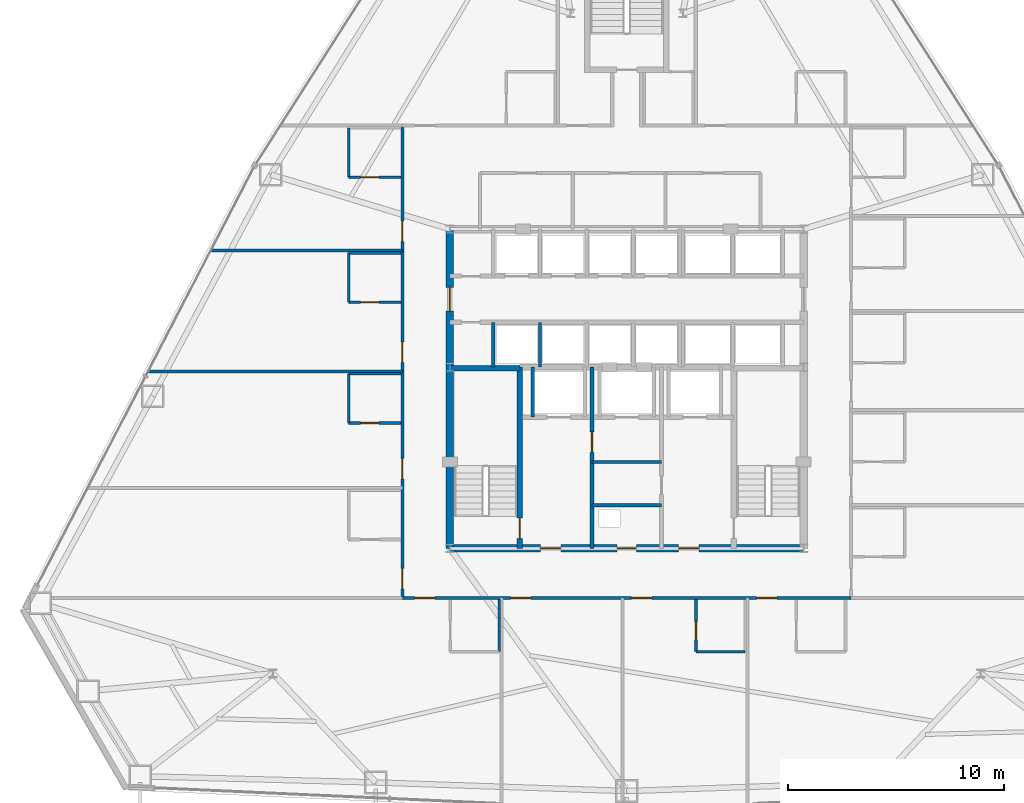
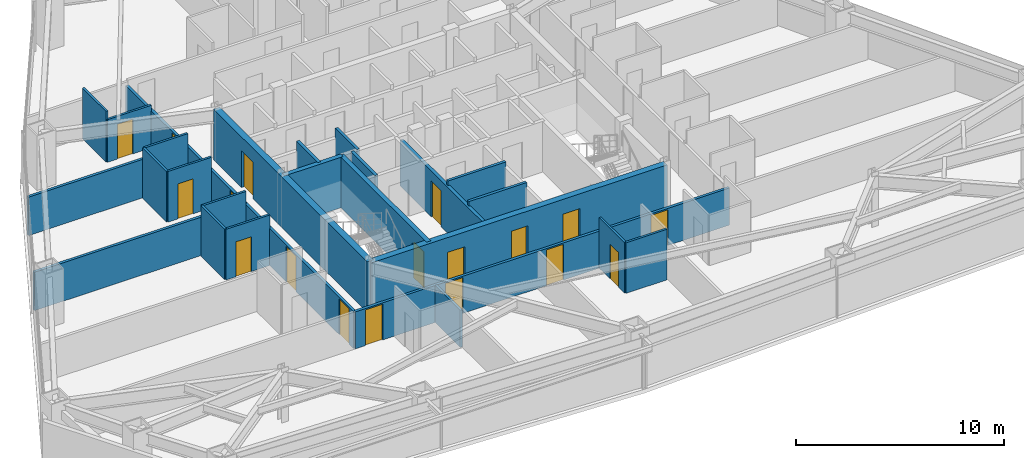
# One storey, part 9 of 13: 25 walls, 18 doors, 18 openings.
"""IFC4 building model written with IfcOpenShell, lengths in metres."""

from ifc_helpers import new_model, si_unit, direction, frame, frame_2d, origin, place, context, subcontext, project, spatial, rectangle, extrude, material, layer, layer_set, type_object, element, fill, save


model = new_model("IFC4")

# Units and contexts
model_context = context("Model", 3, precision=1e-05, world=origin(), true_north=direction((0.0, 1.0)))
body_context = subcontext(model_context, "Body", "Model", "MODEL_VIEW")
ifc_project = project(units=[si_unit("LENGTHUNIT", "METRE"), si_unit("AREAUNIT", "SQUARE_METRE"), si_unit("VOLUMEUNIT", "CUBIC_METRE"), si_unit("PLANEANGLEUNIT", "RADIAN"), si_unit("MASSUNIT", "GRAM", prefix="KILO")], contexts=[model_context])

# Site, building, storey
site_placement = place(None, origin())
site = spatial("IfcSite", under=ifc_project, at=site_placement, CompositionType="ELEMENT")
building_placement = place(site_placement, origin())
building = spatial("IfcBuilding", under=site, at=building_placement, Name="Varakhsha Concourse Tower", CompositionType="ELEMENT")
storey_placement = place(building_placement, frame((0.0, 0.0, 89.39990234375)))
storey = spatial("IfcBuildingStorey", under=building, at=storey_placement, Name="L25", CompositionType="ELEMENT", Elevation=89.39990234375)

# Wall, openings, doors
ifc_material_1 = material(Name="Concrete fc 65 MPa", Category="concrete")
ifc_layer_1 = layer(ifc_material_1, 0.35009765625, Name="WL-CORE-350")
ifc_layer_set_1 = layer_set([ifc_layer_1], Name="Concrete fc 65 MPa")
wall_type_1 = type_object("IfcWallType", Name="WL-CORE-350", PredefinedType="SHEAR", material=ifc_layer_set_1)
wall_1_placement = place(storey_placement, frame((31.800048828125, 16.39990234375, 0.0), z_axis=(0.0, 0.0, 1.0), x_axis=(1.0, 0.0, 0.0)))
wall_1 = element("IfcWall", 1, at=wall_1_placement, inside=storey, type_object=wall_type_1, Name="L25 Wall CWALL-S-L25", PredefinedType="SHEAR", context=body_context, shape_type="SweptSolid", body=[
    extrude(rectangle(XDim=16.39990234375, YDim=0.35009765625, at=frame_2d((8.199951171875, 0.0))), origin(), (0.0, 0.0, 1.0), 2.97021484375),
])
opening_1_placement = place(wall_1_placement, frame((7.75, 0.0, 0.0)))
opening_1 = element("IfcOpeningElement", 2, at=opening_1_placement, cuts=wall_1, Name="Opening DF-06", PredefinedType="OPENING", context=body_context, shape_type="SweptSolid", body=[
    extrude(rectangle(XDim=0.89990234375, YDim=2.10009765625, at=frame_2d((0.449951171875, 1.050048828125))), frame((0.0, 0.18505859375, 0.0), z_axis=(0.0, -1.0, 0.0), x_axis=(1.0, 0.0, 0.0)), (0.0, 0.0, 1.0), 0.3701171875),
])
opening_2_placement = place(wall_1_placement, frame((4.199951171875, 0.0, 0.0)))
opening_2 = element("IfcOpeningElement", 3, at=opening_2_placement, cuts=wall_1, Name="Opening DF-05", PredefinedType="OPENING", context=body_context, shape_type="SweptSolid", body=[
    extrude(rectangle(XDim=0.949951171875, YDim=2.10009765625, at=frame_2d((0.47509765625, 1.050048828125))), frame((0.0, 0.18505859375, 0.0), z_axis=(0.0, -1.0, 0.0), x_axis=(1.0, 0.0, 0.0)), (0.0, 0.0, 1.0), 0.3701171875),
])
opening_3_placement = place(wall_1_placement, frame((10.60009765625, 0.0, 0.0)))
opening_3 = element("IfcOpeningElement", 4, at=opening_3_placement, cuts=wall_1, Name="Opening DF-05", PredefinedType="OPENING", context=body_context, shape_type="SweptSolid", body=[
    extrude(rectangle(XDim=0.949951171875, YDim=2.10009765625, at=frame_2d((0.47509765625, 1.050048828125))), frame((0.0, 0.18505859375, 0.0), z_axis=(0.0, -1.0, 0.0), x_axis=(1.0, 0.0, 0.0)), (0.0, 0.0, 1.0), 0.3701171875),
])
ifc_material_2 = material(Name="Hollow Galvanised Steel Fire Door Assembly", Category="steel")
door_type_1 = type_object("IfcDoorType", Name="DR-FD60-900", OperationType="NOTDEFINED", PredefinedType="DOOR", material=ifc_material_2)
door_1_placement = place(opening_1_placement, origin())
door_1 = element("IfcDoor", 5, at=door_1_placement, inside=storey, type_object=door_type_1, Name="L25 Electrical Riser Door", OperationType="SINGLE_SWING_LEFT", OverallHeight=2.10009765625, OverallWidth=0.89990234375, PredefinedType="DOOR", context=body_context, shape_type="SweptSolid", body=[
    extrude(rectangle(XDim=0.89990234375, YDim=2.10009765625, at=frame_2d((0.449951171875, 1.050048828125))), frame((0.0, 0.02490234375, 0.0), z_axis=(0.0, -1.0, 0.0), x_axis=(1.0, 0.0, 0.0)), (0.0, 0.0, 1.0), 0.050048828125),
])
fill(opening_1, door_1)
door_type_2 = type_object("IfcDoorType", Name="DR-FD60-950", OperationType="NOTDEFINED", PredefinedType="DOOR", material=ifc_material_2)
door_2_placement = place(opening_2_placement, origin())
door_2 = element("IfcDoor", 6, at=door_2_placement, inside=storey, type_object=door_type_2, Name="L25 Firefighting Lobby West Door", OperationType="SINGLE_SWING_RIGHT", OverallHeight=2.10009765625, OverallWidth=0.949951171875, PredefinedType="DOOR", context=body_context, shape_type="SweptSolid", body=[
    extrude(rectangle(XDim=0.949951171875, YDim=2.10009765625, at=frame_2d((0.47509765625, 1.050048828125))), frame((0.0, 0.02490234375, 0.0), z_axis=(0.0, -1.0, 0.0), x_axis=(1.0, 0.0, 0.0)), (0.0, 0.0, 1.0), 0.050048828125),
])
fill(opening_2, door_2)
door_3_placement = place(opening_3_placement, origin())
door_3 = element("IfcDoor", 7, at=door_3_placement, inside=storey, type_object=door_type_2, Name="L25 Firefighting Lobby East Door", OperationType="SINGLE_SWING_LEFT", OverallHeight=2.10009765625, OverallWidth=0.949951171875, PredefinedType="DOOR", context=body_context, shape_type="SweptSolid", body=[
    extrude(rectangle(XDim=0.949951171875, YDim=2.10009765625, at=frame_2d((0.47509765625, 1.050048828125))), frame((0.0, 0.02490234375, 0.0), z_axis=(0.0, -1.0, 0.0), x_axis=(1.0, 0.0, 0.0)), (0.0, 0.0, 1.0), 0.050048828125),
])
fill(opening_3, door_3)

# Wall, opening, door
wall_2_placement = place(storey_placement, frame((31.800048828125, 16.39990234375, 0.0), z_axis=(0.0, 0.0, 1.0), x_axis=(0.0, 1.0, 0.0)))
wall_2 = element("IfcWall", 8, at=wall_2_placement, inside=storey, type_object=wall_type_1, Name="L25 Wall CWALL-W-L25", PredefinedType="SHEAR", context=body_context, shape_type="SweptSolid", body=[
    extrude(rectangle(XDim=14.800048828125, YDim=0.35009765625, at=frame_2d((7.39990234375, 0.0))), origin(), (0.0, 0.0, 1.0), 2.97021484375),
])
opening_4_placement = place(wall_2_placement, frame((11.0, 0.0, 0.0)))
opening_4 = element("IfcOpeningElement", 9, at=opening_4_placement, cuts=wall_2, Name="Opening DL-01", PredefinedType="OPENING", context=body_context, shape_type="SweptSolid", body=[
    extrude(rectangle(XDim=1.10009765625, YDim=2.14990234375, at=frame_2d((0.550048828125, 1.074951171875))), frame((0.0, 0.18505859375, 0.0), z_axis=(0.0, -1.0, 0.0), x_axis=(1.0, 0.0, 0.0)), (0.0, 0.0, 1.0), 0.3701171875),
])
ifc_material_3 = material(Name="Anodised Bronze Architectural Aluminium AA 6063-T6", Category="aluminium")
door_type_3 = type_object("IfcDoorType", Name="DR-LOB-1100", OperationType="NOTDEFINED", PredefinedType="DOOR", material=ifc_material_3)
door_4_placement = place(opening_4_placement, origin())
door_4 = element("IfcDoor", 10, at=door_4_placement, inside=storey, type_object=door_type_3, Name="L25 Lift Lobby West Concourse Door", OperationType="SINGLE_SWING_LEFT", OverallHeight=2.14990234375, OverallWidth=1.10009765625, PredefinedType="DOOR", context=body_context, shape_type="SweptSolid", body=[
    extrude(rectangle(XDim=1.10009765625, YDim=2.14990234375, at=frame_2d((0.550048828125, 1.074951171875))), frame((0.0, 0.02490234375, 0.0), z_axis=(0.0, -1.0, 0.0), x_axis=(1.0, 0.0, 0.0)), (0.0, 0.0, 1.0), 0.050048828125),
])
fill(opening_4, door_4)

ifc_material_4 = material(Name="Fire-Rated Type X Gypsum Partition Assembly", Category="gypsum")
ifc_layer_2 = layer(ifc_material_4, 0.179931640625, Name="WL-FFLOB-180")
ifc_layer_set_2 = layer_set([ifc_layer_2], Name="Fire-Rated Type X Gypsum Partition Assembly")
wall_type_2 = type_object("IfcWallType", Name="WL-FFLOB-180", PredefinedType="PARTITIONING", material=ifc_layer_set_2)
wall_3_placement = place(storey_placement, frame((38.389892578125, 16.39990234375, 0.0), z_axis=(0.0, 0.0, 1.0), x_axis=(0.0, 1.0, 0.0)))
wall_3 = element("IfcWall", 11, at=wall_3_placement, inside=storey, type_object=wall_type_2, Name="L25 Wall FFW-1E-L25", PredefinedType="PARTITIONING", context=body_context, shape_type="SweptSolid", body=[
    extrude(rectangle(XDim=8.400146484375, YDim=0.179931640625, at=frame_2d((4.2001953125, 0.0))), origin(), (0.0, 0.0, 1.0), 2.697998046875),
])
opening_5_placement = place(wall_3_placement, frame((4.449951171875, 0.0, 0.0)))
opening_5 = element("IfcOpeningElement", 12, at=opening_5_placement, cuts=wall_3, Name="Opening DF-05", PredefinedType="OPENING", context=body_context, shape_type="SweptSolid", body=[
    extrude(rectangle(XDim=0.949951171875, YDim=2.10009765625, at=frame_2d((0.47509765625, 1.050048828125))), frame((0.0, 0.099853515625, 0.0), z_axis=(0.0, -1.0, 0.0), x_axis=(1.0, 0.0, 0.0)), (0.0, 0.0, 1.0), 0.199951171875),
])
door_5_placement = place(opening_5_placement, origin())
door_5 = element("IfcDoor", 13, at=door_5_placement, inside=storey, type_object=door_type_2, Name="L25 Service Vestibule Door", OperationType="SINGLE_SWING_RIGHT", OverallHeight=2.10009765625, OverallWidth=0.949951171875, PredefinedType="DOOR", context=body_context, shape_type="SweptSolid", body=[
    extrude(rectangle(XDim=0.949951171875, YDim=2.10009765625, at=frame_2d((0.47509765625, 1.050048828125))), frame((0.0, 0.02490234375, 0.0), z_axis=(0.0, -1.0, 0.0), x_axis=(1.0, 0.0, 0.0)), (0.0, 0.0, 1.0), 0.050048828125),
])
fill(opening_5, door_5)

# Wall
ifc_material_5 = material(Name="Acoustic Gypsum Board Partition Assembly", Category="gypsum")
ifc_layer_3 = layer(ifc_material_5, 0.1201171875, Name="WL-PART-120")
ifc_layer_set_3 = layer_set([ifc_layer_3], Name="Acoustic Gypsum Board Partition Assembly")
wall_type_3 = type_object("IfcWallType", Name="WL-PART-120", PredefinedType="PARTITIONING", material=ifc_layer_set_3)
wall_4_placement = place(storey_placement, frame((34.090087890625, 11.610107421875, 0.0), z_axis=(0.0, 0.0, 1.0), x_axis=(0.0, 1.0, 0.0)))
element("IfcWall", 14, at=wall_4_placement, inside=storey, type_object=wall_type_3, Name="L25 Wall ENSW-E-L25-H01", PredefinedType="PARTITIONING", context=body_context, shape_type="SweptSolid", body=[
    extrude(rectangle(XDim=2.429931640625, YDim=0.1201171875, at=frame_2d((1.21484375, 0.0))), origin(), (0.0, 0.0, 1.0), 2.18115234375),
])

# Wall, opening, door
wall_5_placement = place(storey_placement, frame((43.2099609375, 11.610107421875, 0.0), z_axis=(0.0, 0.0, 1.0), x_axis=(0.0, 1.0, 0.0)))
wall_5 = element("IfcWall", 15, at=wall_5_placement, inside=storey, type_object=wall_type_3, Name="L25 Wall ENSW-W-L25-H03", PredefinedType="PARTITIONING", context=body_context, shape_type="SweptSolid", body=[
    extrude(rectangle(XDim=2.429931640625, YDim=0.1201171875, at=frame_2d((1.21484375, 0.0))), origin(), (0.0, 0.0, 1.0), 2.97021484375),
])
opening_6_placement = place(wall_5_placement, frame((0.550048828125, 0.0, 0.0)))
opening_6 = element("IfcOpeningElement", 16, at=opening_6_placement, cuts=wall_5, Name="Opening DI-01", PredefinedType="OPENING", context=body_context, shape_type="SweptSolid", body=[
    extrude(rectangle(XDim=0.85009765625, YDim=2.050048828125, at=frame_2d((0.425048828125, 1.02490234375))), frame((0.0, 0.070068359375, 0.0), z_axis=(0.0, -1.0, 0.0), x_axis=(1.0, 0.0, 0.0)), (0.0, 0.0, 1.0), 0.14013671875),
])
ifc_material_6 = material(Name="Architectural Walnut Acoustic Timber Door", Category="wood")
door_type_4 = type_object("IfcDoorType", Name="DR-INT-850", OperationType="NOTDEFINED", PredefinedType="DOOR", material=ifc_material_6)
door_6_placement = place(opening_6_placement, origin())
door_6 = element("IfcDoor", 17, at=door_6_placement, inside=storey, type_object=door_type_4, Name="L25 En-suite Bathroom Door L25-H03", OperationType="SINGLE_SWING_RIGHT", OverallHeight=2.050048828125, OverallWidth=0.85009765625, PredefinedType="DOOR", context=body_context, shape_type="SweptSolid", body=[
    extrude(rectangle(XDim=0.85009765625, YDim=2.050048828125, at=frame_2d((0.425048828125, 1.02490234375))), frame((0.0, 0.02490234375, 0.0), z_axis=(0.0, -1.0, 0.0), x_axis=(1.0, 0.0, 0.0)), (0.0, 0.0, 1.0), 0.050048828125),
])
fill(opening_6, door_6)

# Walls
for number, where, z_axis, x_axis, name in (
    (18, (43.2099609375, 11.610107421875, 0.0), (0.0, 0.0, 1.0), (1.0, 0.0, 0.0), "L25 Wall ENSW-S-L25-H03"),
    (19, (27.110107421875, 22.2099609375, 0.0), (0.0, 0.0, 1.0), (0.0, 1.0, 0.0), "L25 Wall ENSW-W-L25-H06"),
):
    element("IfcWall", number, at=place(storey_placement, frame(where, z_axis=z_axis, x_axis=x_axis)), inside=storey, type_object=wall_type_3, Name=name, PredefinedType="PARTITIONING", context=body_context, shape_type="SweptSolid", body=[
        extrude(rectangle(XDim=2.280029296875, YDim=0.1201171875, at=frame_2d((1.14013671875, 0.0))), origin(), (0.0, 0.0, 1.0), 2.97021484375),
    ])

# Wall, opening, door
wall_6_placement = place(storey_placement, frame((27.110107421875, 22.2099609375, 0.0), z_axis=(0.0, 0.0, 1.0), x_axis=(1.0, 0.0, 0.0)))
wall_6 = element("IfcWall", 20, at=wall_6_placement, inside=storey, type_object=wall_type_3, Name="L25 Wall ENSW-S-L25-H06", PredefinedType="PARTITIONING", context=body_context, shape_type="SweptSolid", body=[
    extrude(rectangle(XDim=2.429931640625, YDim=0.1201171875, at=frame_2d((1.21484375, 0.0))), origin(), (0.0, 0.0, 1.0), 2.97021484375),
])
opening_7_placement = place(wall_6_placement, frame((0.550048828125, 0.0, 0.0)))
opening_7 = element("IfcOpeningElement", 21, at=opening_7_placement, cuts=wall_6, Name="Opening DI-01", PredefinedType="OPENING", context=body_context, shape_type="SweptSolid", body=[
    extrude(rectangle(XDim=0.85009765625, YDim=2.050048828125, at=frame_2d((0.425048828125, 1.02490234375))), frame((0.0, 0.070068359375, 0.0), z_axis=(0.0, -1.0, 0.0), x_axis=(1.0, 0.0, 0.0)), (0.0, 0.0, 1.0), 0.14013671875),
])
door_7_placement = place(opening_7_placement, origin())
door_7 = element("IfcDoor", 22, at=door_7_placement, inside=storey, type_object=door_type_4, Name="L25 En-suite Bathroom Door L25-H06", OperationType="SINGLE_SWING_RIGHT", OverallHeight=2.050048828125, OverallWidth=0.85009765625, PredefinedType="DOOR", context=body_context, shape_type="SweptSolid", body=[
    extrude(rectangle(XDim=0.85009765625, YDim=2.050048828125, at=frame_2d((0.425048828125, 1.02490234375))), frame((0.0, 0.02490234375, 0.0), z_axis=(0.0, -1.0, 0.0), x_axis=(1.0, 0.0, 0.0)), (0.0, 0.0, 1.0), 0.050048828125),
])
fill(opening_7, door_7)

# Walls
wall_7_placement = place(storey_placement, frame((27.110107421875, 24.489990234375, 0.0), z_axis=(0.0, 0.0, 1.0), x_axis=(1.0, 0.0, 0.0)))
element("IfcWall", 23, at=wall_7_placement, inside=storey, type_object=wall_type_3, Name="L25 Wall ENSW-N-L25-H06", PredefinedType="PARTITIONING", context=body_context, shape_type="SweptSolid", body=[
    extrude(rectangle(XDim=2.429931640625, YDim=0.1201171875, at=frame_2d((1.21484375, 0.0))), origin(), (0.0, 0.0, 1.0), 2.97021484375),
])
wall_8_placement = place(storey_placement, frame((27.110107421875, 27.81005859375, 0.0), z_axis=(0.0, 0.0, 1.0), x_axis=(0.0, 1.0, 0.0)))
element("IfcWall", 24, at=wall_8_placement, inside=storey, type_object=wall_type_3, Name="L25 Wall ENSW-W-L25-H07", PredefinedType="PARTITIONING", context=body_context, shape_type="SweptSolid", body=[
    extrude(rectangle(XDim=2.280029296875, YDim=0.1201171875, at=frame_2d((1.14013671875, 0.0))), origin(), (0.0, 0.0, 1.0), 2.97021484375),
])

# Wall, opening, door
wall_9_placement = place(storey_placement, frame((27.110107421875, 27.81005859375, 0.0), z_axis=(0.0, 0.0, 1.0), x_axis=(1.0, 0.0, 0.0)))
wall_9 = element("IfcWall", 25, at=wall_9_placement, inside=storey, type_object=wall_type_3, Name="L25 Wall ENSW-S-L25-H07", PredefinedType="PARTITIONING", context=body_context, shape_type="SweptSolid", body=[
    extrude(rectangle(XDim=2.429931640625, YDim=0.1201171875, at=frame_2d((1.21484375, 0.0))), origin(), (0.0, 0.0, 1.0), 2.97021484375),
])
opening_8_placement = place(wall_9_placement, frame((0.550048828125, 0.0, 0.0)))
opening_8 = element("IfcOpeningElement", 26, at=opening_8_placement, cuts=wall_9, Name="Opening DI-01", PredefinedType="OPENING", context=body_context, shape_type="SweptSolid", body=[
    extrude(rectangle(XDim=0.85009765625, YDim=2.050048828125, at=frame_2d((0.425048828125, 1.02490234375))), frame((0.0, 0.070068359375, 0.0), z_axis=(0.0, -1.0, 0.0), x_axis=(1.0, 0.0, 0.0)), (0.0, 0.0, 1.0), 0.14013671875),
])
door_8_placement = place(opening_8_placement, origin())
door_8 = element("IfcDoor", 27, at=door_8_placement, inside=storey, type_object=door_type_4, Name="L25 En-suite Bathroom Door L25-H07", OperationType="SINGLE_SWING_RIGHT", OverallHeight=2.050048828125, OverallWidth=0.85009765625, PredefinedType="DOOR", context=body_context, shape_type="SweptSolid", body=[
    extrude(rectangle(XDim=0.85009765625, YDim=2.050048828125, at=frame_2d((0.425048828125, 1.02490234375))), frame((0.0, 0.02490234375, 0.0), z_axis=(0.0, -1.0, 0.0), x_axis=(1.0, 0.0, 0.0)), (0.0, 0.0, 1.0), 0.050048828125),
])
fill(opening_8, door_8)

# Walls
wall_10_placement = place(storey_placement, frame((27.110107421875, 30.090087890625, 0.0), z_axis=(0.0, 0.0, 1.0), x_axis=(1.0, 0.0, 0.0)))
element("IfcWall", 28, at=wall_10_placement, inside=storey, type_object=wall_type_3, Name="L25 Wall ENSW-N-L25-H07", PredefinedType="PARTITIONING", context=body_context, shape_type="SweptSolid", body=[
    extrude(rectangle(XDim=2.429931640625, YDim=0.1201171875, at=frame_2d((1.21484375, 0.0))), origin(), (0.0, 0.0, 1.0), 2.97021484375),
])
wall_11_placement = place(storey_placement, frame((27.110107421875, 33.610107421875, 0.0), z_axis=(0.0, 0.0, 1.0), x_axis=(0.0, 1.0, 0.0)))
element("IfcWall", 29, at=wall_11_placement, inside=storey, type_object=wall_type_3, Name="L25 Wall ENSW-W-L25-H08", PredefinedType="PARTITIONING", context=body_context, shape_type="SweptSolid", body=[
    extrude(rectangle(XDim=2.27978515625, YDim=0.1201171875, at=frame_2d((1.139892578125, 0.0))), origin(), (0.0, 0.0, 1.0), 2.97021484375),
])

# Wall, opening, door
wall_12_placement = place(storey_placement, frame((27.110107421875, 33.610107421875, 0.0), z_axis=(0.0, 0.0, 1.0), x_axis=(1.0, 0.0, 0.0)))
wall_12 = element("IfcWall", 30, at=wall_12_placement, inside=storey, type_object=wall_type_3, Name="L25 Wall ENSW-S-L25-H08", PredefinedType="PARTITIONING", context=body_context, shape_type="SweptSolid", body=[
    extrude(rectangle(XDim=2.429931640625, YDim=0.1201171875, at=frame_2d((1.21484375, 0.0))), origin(), (0.0, 0.0, 1.0), 2.503173828125),
])
opening_9_placement = place(wall_12_placement, frame((0.550048828125, 0.0, 0.0)))
opening_9 = element("IfcOpeningElement", 31, at=opening_9_placement, cuts=wall_12, Name="Opening DI-01", PredefinedType="OPENING", context=body_context, shape_type="SweptSolid", body=[
    extrude(rectangle(XDim=0.85009765625, YDim=2.050048828125, at=frame_2d((0.425048828125, 1.02490234375))), frame((0.0, 0.070068359375, 0.0), z_axis=(0.0, -1.0, 0.0), x_axis=(1.0, 0.0, 0.0)), (0.0, 0.0, 1.0), 0.14013671875),
])
door_9_placement = place(opening_9_placement, origin())
door_9 = element("IfcDoor", 32, at=door_9_placement, inside=storey, type_object=door_type_4, Name="L25 En-suite Bathroom Door L25-H08", OperationType="SINGLE_SWING_RIGHT", OverallHeight=2.050048828125, OverallWidth=0.85009765625, PredefinedType="DOOR", context=body_context, shape_type="SweptSolid", body=[
    extrude(rectangle(XDim=0.85009765625, YDim=2.050048828125, at=frame_2d((0.425048828125, 1.02490234375))), frame((0.0, 0.02490234375, 0.0), z_axis=(0.0, -1.0, 0.0), x_axis=(1.0, 0.0, 0.0)), (0.0, 0.0, 1.0), 0.050048828125),
])
fill(opening_9, door_9)

# Walls
ifc_layer_4 = layer(ifc_material_4, 0.14990234375, Name="WL-PART-150")
ifc_layer_set_4 = layer_set([ifc_layer_4], Name="Fire-Rated Type X Gypsum Partition Assembly")
wall_type_4 = type_object("IfcWallType", Name="WL-PART-150", PredefinedType="PARTITIONING", material=ifc_layer_set_4)
for number, where, z_axis, x_axis, name in (
    (33, (38.389892578125, 18.39990234375, 0.0), (0.0, 0.0, 1.0), (1.0, 0.0, 0.0), "L25 Wall RSW-H1-L25"),
    (34, (38.389892578125, 20.39990234375, 0.0), (0.0, 0.0, 1.0), (1.0, 0.0, 0.0), "L25 Wall RSW-H2-L25"),
):
    element("IfcWall", number, at=place(storey_placement, frame(where, z_axis=z_axis, x_axis=x_axis)), inside=storey, type_object=wall_type_4, Name=name, PredefinedType="PARTITIONING", context=body_context, shape_type="SweptSolid", body=[
        extrude(rectangle(XDim=3.22021484375, YDim=0.14990234375, at=frame_2d((1.610107421875, 0.0))), origin(), (0.0, 0.0, 1.0), 2.97021484375),
    ])

# Wall, openings, doors
wall_13_placement = place(storey_placement, frame((29.60009765625, 14.10009765625, 0.0), z_axis=(0.0, 0.0, 1.0), x_axis=(1.0, 0.0, 0.0)))
wall_13 = element("IfcWall", 35, at=wall_13_placement, inside=storey, type_object=wall_type_4, Name="L25 Wall CRW-S-L25", PredefinedType="PARTITIONING", context=body_context, shape_type="SweptSolid", body=[
    extrude(rectangle(XDim=20.7998046875, YDim=0.14990234375, at=frame_2d((10.39990234375, 0.0))), origin(), (0.0, 0.0, 1.0), 2.18115234375),
])
opening_10_placement = place(wall_13_placement, frame((0.570068359375, 0.0, 0.0)))
opening_10 = element("IfcOpeningElement", 36, at=opening_10_placement, cuts=wall_13, Name="Opening DF-05", PredefinedType="OPENING", context=body_context, shape_type="SweptSolid", body=[
    extrude(rectangle(XDim=0.949951171875, YDim=2.10009765625, at=frame_2d((0.47509765625, 1.050048828125))), frame((0.0, 0.0849609375, 0.0), z_axis=(0.0, -1.0, 0.0), x_axis=(1.0, 0.0, 0.0)), (0.0, 0.0, 1.0), 0.169921875),
])
opening_11_placement = place(wall_13_placement, frame((5.02001953125, 0.0, 0.0)))
opening_11 = element("IfcOpeningElement", 37, at=opening_11_placement, cuts=wall_13, Name="Opening DF-05", PredefinedType="OPENING", context=body_context, shape_type="SweptSolid", body=[
    extrude(rectangle(XDim=0.949951171875, YDim=2.10009765625, at=frame_2d((0.47509765625, 1.050048828125))), frame((0.0, 0.0849609375, 0.0), z_axis=(0.0, -1.0, 0.0), x_axis=(1.0, 0.0, 0.0)), (0.0, 0.0, 1.0), 0.169921875),
])
opening_12_placement = place(wall_13_placement, frame((10.6201171875, 0.0, 0.0)))
opening_12 = element("IfcOpeningElement", 38, at=opening_12_placement, cuts=wall_13, Name="Opening DF-05", PredefinedType="OPENING", context=body_context, shape_type="SweptSolid", body=[
    extrude(rectangle(XDim=0.949951171875, YDim=2.10009765625, at=frame_2d((0.47509765625, 1.050048828125))), frame((0.0, 0.0849609375, 0.0), z_axis=(0.0, -1.0, 0.0), x_axis=(1.0, 0.0, 0.0)), (0.0, 0.0, 1.0), 0.169921875),
])
opening_13_placement = place(wall_13_placement, frame((16.419921875, 0.0, 0.0)))
opening_13 = element("IfcOpeningElement", 39, at=opening_13_placement, cuts=wall_13, Name="Opening DF-05", PredefinedType="OPENING", context=body_context, shape_type="SweptSolid", body=[
    extrude(rectangle(XDim=0.949951171875, YDim=2.10009765625, at=frame_2d((0.47509765625, 1.050048828125))), frame((0.0, 0.0849609375, 0.0), z_axis=(0.0, -1.0, 0.0), x_axis=(1.0, 0.0, 0.0)), (0.0, 0.0, 1.0), 0.169921875),
])
door_10_placement = place(opening_10_placement, origin())
door_10 = element("IfcDoor", 40, at=door_10_placement, inside=storey, type_object=door_type_2, Name="L25 Hotel Corner Suite L25-H01 Entry Door", OperationType="SINGLE_SWING_LEFT", OverallHeight=2.10009765625, OverallWidth=0.949951171875, PredefinedType="DOOR", context=body_context, shape_type="SweptSolid", body=[
    extrude(rectangle(XDim=0.949951171875, YDim=2.10009765625, at=frame_2d((0.47509765625, 1.050048828125))), frame((0.0, 0.02490234375, 0.0), z_axis=(0.0, -1.0, 0.0), x_axis=(1.0, 0.0, 0.0)), (0.0, 0.0, 1.0), 0.050048828125),
])
fill(opening_10, door_10)
door_11_placement = place(opening_11_placement, origin())
door_11 = element("IfcDoor", 41, at=door_11_placement, inside=storey, type_object=door_type_2, Name="L25 Conference Briefing Salon L25-H02 Door", OperationType="SINGLE_SWING_RIGHT", OverallHeight=2.10009765625, OverallWidth=0.949951171875, PredefinedType="DOOR", context=body_context, shape_type="SweptSolid", body=[
    extrude(rectangle(XDim=0.949951171875, YDim=2.10009765625, at=frame_2d((0.47509765625, 1.050048828125))), frame((0.0, 0.02490234375, 0.0), z_axis=(0.0, -1.0, 0.0), x_axis=(1.0, 0.0, 0.0)), (0.0, 0.0, 1.0), 0.050048828125),
])
fill(opening_11, door_11)
door_12_placement = place(opening_12_placement, origin())
door_12 = element("IfcDoor", 42, at=door_12_placement, inside=storey, type_object=door_type_2, Name="L25 Hotel Corner Suite L25-H03 Entry Door", OperationType="SINGLE_SWING_LEFT", OverallHeight=2.10009765625, OverallWidth=0.949951171875, PredefinedType="DOOR", context=body_context, shape_type="SweptSolid", body=[
    extrude(rectangle(XDim=0.949951171875, YDim=2.10009765625, at=frame_2d((0.47509765625, 1.050048828125))), frame((0.0, 0.02490234375, 0.0), z_axis=(0.0, -1.0, 0.0), x_axis=(1.0, 0.0, 0.0)), (0.0, 0.0, 1.0), 0.050048828125),
])
fill(opening_12, door_12)
door_13_placement = place(opening_13_placement, origin())
door_13 = element("IfcDoor", 43, at=door_13_placement, inside=storey, type_object=door_type_2, Name="L25 Hotel Corner Suite L25-H04 Entry Door", OperationType="SINGLE_SWING_RIGHT", OverallHeight=2.10009765625, OverallWidth=0.949951171875, PredefinedType="DOOR", context=body_context, shape_type="SweptSolid", body=[
    extrude(rectangle(XDim=0.949951171875, YDim=2.10009765625, at=frame_2d((0.47509765625, 1.050048828125))), frame((0.0, 0.02490234375, 0.0), z_axis=(0.0, -1.0, 0.0), x_axis=(1.0, 0.0, 0.0)), (0.0, 0.0, 1.0), 0.050048828125),
])
fill(opening_13, door_13)

wall_14_placement = place(storey_placement, frame((29.60009765625, 14.10009765625, 0.0), z_axis=(0.0, 0.0, 1.0), x_axis=(0.0, 1.0, 0.0)))
wall_14 = element("IfcWall", 44, at=wall_14_placement, inside=storey, type_object=wall_type_4, Name="L25 Wall CRW-W-L25", PredefinedType="PARTITIONING", context=body_context, shape_type="SweptSolid", body=[
    extrude(rectangle(XDim=21.89990234375, YDim=0.14990234375, at=frame_2d((10.949951171875, 0.0))), origin(), (0.0, 0.0, 1.0), 2.18115234375),
])
opening_14_placement = place(wall_14_placement, frame((0.419921875, 0.0, 0.0)))
opening_14 = element("IfcOpeningElement", 45, at=opening_14_placement, cuts=wall_14, Name="Opening DF-05", PredefinedType="OPENING", context=body_context, shape_type="SweptSolid", body=[
    extrude(rectangle(XDim=0.949951171875, YDim=2.10009765625, at=frame_2d((0.47509765625, 1.050048828125))), frame((0.0, 0.0849609375, 0.0), z_axis=(0.0, -1.0, 0.0), x_axis=(1.0, 0.0, 0.0)), (0.0, 0.0, 1.0), 0.169921875),
])
opening_15_placement = place(wall_14_placement, frame((5.52001953125, 0.0, 0.0)))
opening_15 = element("IfcOpeningElement", 46, at=opening_15_placement, cuts=wall_14, Name="Opening DF-05", PredefinedType="OPENING", context=body_context, shape_type="SweptSolid", body=[
    extrude(rectangle(XDim=0.949951171875, YDim=2.10009765625, at=frame_2d((0.47509765625, 1.050048828125))), frame((0.0, 0.0849609375, 0.0), z_axis=(0.0, -1.0, 0.0), x_axis=(1.0, 0.0, 0.0)), (0.0, 0.0, 1.0), 0.169921875),
])
opening_16_placement = place(wall_14_placement, frame((10.919921875, 0.0, 0.0)))
opening_16 = element("IfcOpeningElement", 47, at=opening_16_placement, cuts=wall_14, Name="Opening DF-05", PredefinedType="OPENING", context=body_context, shape_type="SweptSolid", body=[
    extrude(rectangle(XDim=0.949951171875, YDim=2.10009765625, at=frame_2d((0.47509765625, 1.050048828125))), frame((0.0, 0.0849609375, 0.0), z_axis=(0.0, -1.0, 0.0), x_axis=(1.0, 0.0, 0.0)), (0.0, 0.0, 1.0), 0.169921875),
])
opening_17_placement = place(wall_14_placement, frame((16.52001953125, 0.0, 0.0)))
opening_17 = element("IfcOpeningElement", 48, at=opening_17_placement, cuts=wall_14, Name="Opening DF-05", PredefinedType="OPENING", context=body_context, shape_type="SweptSolid", body=[
    extrude(rectangle(XDim=0.949951171875, YDim=2.10009765625, at=frame_2d((0.47509765625, 1.050048828125))), frame((0.0, 0.0849609375, 0.0), z_axis=(0.0, -1.0, 0.0), x_axis=(1.0, 0.0, 0.0)), (0.0, 0.0, 1.0), 0.169921875),
])
door_14_placement = place(opening_14_placement, origin())
door_14 = element("IfcDoor", 49, at=door_14_placement, inside=storey, type_object=door_type_2, Name="L25 Hotel Corner Suite L25-H05 Entry Door", OperationType="SINGLE_SWING_LEFT", OverallHeight=2.10009765625, OverallWidth=0.949951171875, PredefinedType="DOOR", context=body_context, shape_type="SweptSolid", body=[
    extrude(rectangle(XDim=0.949951171875, YDim=2.10009765625, at=frame_2d((0.47509765625, 1.050048828125))), frame((0.0, 0.02490234375, 0.0), z_axis=(0.0, -1.0, 0.0), x_axis=(1.0, 0.0, 0.0)), (0.0, 0.0, 1.0), 0.050048828125),
])
fill(opening_14, door_14)
door_15_placement = place(opening_15_placement, origin())
door_15 = element("IfcDoor", 50, at=door_15_placement, inside=storey, type_object=door_type_2, Name="L25 Hotel Corner Suite L25-H06 Entry Door", OperationType="SINGLE_SWING_RIGHT", OverallHeight=2.10009765625, OverallWidth=0.949951171875, PredefinedType="DOOR", context=body_context, shape_type="SweptSolid", body=[
    extrude(rectangle(XDim=0.949951171875, YDim=2.10009765625, at=frame_2d((0.47509765625, 1.050048828125))), frame((0.0, 0.02490234375, 0.0), z_axis=(0.0, -1.0, 0.0), x_axis=(1.0, 0.0, 0.0)), (0.0, 0.0, 1.0), 0.050048828125),
])
fill(opening_15, door_15)
door_16_placement = place(opening_16_placement, origin())
door_16 = element("IfcDoor", 51, at=door_16_placement, inside=storey, type_object=door_type_2, Name="L25 Hotel Corner Suite L25-H07 Entry Door", OperationType="SINGLE_SWING_LEFT", OverallHeight=2.10009765625, OverallWidth=0.949951171875, PredefinedType="DOOR", context=body_context, shape_type="SweptSolid", body=[
    extrude(rectangle(XDim=0.949951171875, YDim=2.10009765625, at=frame_2d((0.47509765625, 1.050048828125))), frame((0.0, 0.02490234375, 0.0), z_axis=(0.0, -1.0, 0.0), x_axis=(1.0, 0.0, 0.0)), (0.0, 0.0, 1.0), 0.050048828125),
])
fill(opening_16, door_16)
door_17_placement = place(opening_17_placement, origin())
door_17 = element("IfcDoor", 52, at=door_17_placement, inside=storey, type_object=door_type_2, Name="L25 Hotel Guest Room L25-H08 Entry Door", OperationType="SINGLE_SWING_RIGHT", OverallHeight=2.10009765625, OverallWidth=0.949951171875, PredefinedType="DOOR", context=body_context, shape_type="SweptSolid", body=[
    extrude(rectangle(XDim=0.949951171875, YDim=2.10009765625, at=frame_2d((0.47509765625, 1.050048828125))), frame((0.0, 0.02490234375, 0.0), z_axis=(0.0, -1.0, 0.0), x_axis=(1.0, 0.0, 0.0)), (0.0, 0.0, 1.0), 0.050048828125),
])
fill(opening_17, door_17)

# Walls
wall_15_placement = place(storey_placement, frame((17.82177734375, 24.60009765625, 0.0), z_axis=(0.0, 0.0, 1.0), x_axis=(1.0, 0.0, 0.0)))
element("IfcWall", 53, at=wall_15_placement, inside=storey, type_object=wall_type_4, Name="L25 Wall HDIV-W2-L25", PredefinedType="PARTITIONING", context=body_context, shape_type="SweptSolid", body=[
    extrude(rectangle(XDim=11.7783203125, YDim=0.14990234375, at=frame_2d((5.88916015625, 0.0))), origin(), (0.0, 0.0, 1.0), 2.258056640625),
])
wall_16_placement = place(storey_placement, frame((20.724365234375, 30.199951171875, 0.0), z_axis=(0.0, 0.0, 1.0), x_axis=(1.0, 0.0, 0.0)))
element("IfcWall", 54, at=wall_16_placement, inside=storey, type_object=wall_type_4, Name="L25 Wall HDIV-W3-L25", PredefinedType="PARTITIONING", context=body_context, shape_type="SweptSolid", body=[
    extrude(rectangle(XDim=8.875732421875, YDim=0.14990234375, at=frame_2d((4.43798828125, 0.0))), origin(), (0.0, 0.0, 1.0), 2.258056640625),
])
ifc_layer_5 = layer(ifc_material_4, 0.199951171875, Name="WL-SHAFT-220")
ifc_layer_set_5 = layer_set([ifc_layer_5], Name="Fire-Rated Type X Gypsum Partition Assembly")
wall_type_5 = type_object("IfcWallType", Name="WL-SHAFT-220", PredefinedType="SOLIDWALL", material=ifc_layer_set_5)
wall_17_placement = place(storey_placement, frame((35.64990234375, 22.47998046875, 0.0), z_axis=(0.0, 0.0, 1.0), x_axis=(0.0, 1.0, 0.0)))
element("IfcWall", 55, at=wall_17_placement, inside=storey, type_object=wall_type_5, Name="L25 Wall SHW-FFL-1-W-L25", PredefinedType="SOLIDWALL", context=body_context, shape_type="SweptSolid", body=[
    extrude(rectangle(XDim=2.320068359375, YDim=0.159912109375, at=frame_2d((1.16015625, 0.0))), origin(), (0.0, 0.0, 1.0), 2.97021484375),
])
for number, where, z_axis, x_axis, name in (
    (56, (33.820068359375, 24.800048828125, 0.0), (0.0, 0.0, 1.0), (0.0, 1.0, 0.0), "L25 Wall WBOH-E2-L25"),
    (57, (35.97998046875, 24.800048828125, 0.0), (0.0, 0.0, 1.0), (0.0, 1.0, 0.0), "L25 Wall SHW-LF-P05-E-L25"),
):
    element("IfcWall", number, at=place(storey_placement, frame(where, z_axis=z_axis, x_axis=x_axis)), inside=storey, type_object=wall_type_5, Name=name, PredefinedType="SOLIDWALL", context=body_context, shape_type="SweptSolid", body=[
        extrude(rectangle(XDim=2.079833984375, YDim=0.159912109375, at=frame_2d((1.0400390625, 0.0))), origin(), (0.0, 0.0, 1.0), 2.97021484375),
    ])

# Wall, opening, door
ifc_material_7 = material(Name="Concrete fc 45 MPa", Category="concrete")
ifc_layer_6 = layer(ifc_material_7, 0.25, Name="WL-STAIR-250")
ifc_layer_set_6 = layer_set([ifc_layer_6], Name="Concrete fc 45 MPa")
wall_type_6 = type_object("IfcWallType", Name="WL-STAIR-250", PredefinedType="SHEAR", material=ifc_layer_set_6)
wall_18_placement = place(storey_placement, frame((35.044921875, 16.39990234375, 0.0), z_axis=(0.0, 0.0, 1.0), x_axis=(0.0, 1.0, 0.0)))
wall_18 = element("IfcWall", 58, at=wall_18_placement, inside=storey, type_object=wall_type_6, Name="L25 Wall SWALL-ST1-E-L25", PredefinedType="SHEAR", context=body_context, shape_type="SweptSolid", body=[
    extrude(rectangle(XDim=8.400146484375, YDim=0.25, at=frame_2d((4.2001953125, 0.0))), origin(), (0.0, 0.0, 1.0), 2.97021484375),
])
opening_18_placement = place(wall_18_placement, frame((0.449951171875, 0.0, 0.0)))
opening_18 = element("IfcOpeningElement", 59, at=opening_18_placement, cuts=wall_18, Name="Opening DF-03", PredefinedType="OPENING", context=body_context, shape_type="SweptSolid", body=[
    extrude(rectangle(XDim=0.949951171875, YDim=2.10009765625, at=frame_2d((0.47509765625, 1.050048828125))), frame((0.0, 0.135009765625, 0.0), z_axis=(0.0, -1.0, 0.0), x_axis=(1.0, 0.0, 0.0)), (0.0, 0.0, 1.0), 0.27001953125),
])
door_type_5 = type_object("IfcDoorType", Name="DR-FD90-950", OperationType="NOTDEFINED", PredefinedType="DOOR", material=ifc_material_2)
door_18_placement = place(opening_18_placement, origin())
door_18 = element("IfcDoor", 60, at=door_18_placement, inside=storey, type_object=door_type_5, Name="L25 Stair ST1 Fire Door", OperationType="SINGLE_SWING_LEFT", OverallHeight=2.10009765625, OverallWidth=0.949951171875, PredefinedType="DOOR", context=body_context, shape_type="SweptSolid", body=[
    extrude(rectangle(XDim=0.949951171875, YDim=2.10009765625, at=frame_2d((0.47509765625, 1.050048828125))), frame((0.0, 0.02490234375, 0.0), z_axis=(0.0, -1.0, 0.0), x_axis=(1.0, 0.0, 0.0)), (0.0, 0.0, 1.0), 0.050048828125),
])
fill(opening_18, door_18)

# Wall
wall_19_placement = place(storey_placement, frame((31.800048828125, 24.7548828125, 0.0), z_axis=(0.0, 0.0, 1.0), x_axis=(1.0, 0.0, 0.0)))
element("IfcWall", 61, at=wall_19_placement, inside=storey, type_object=wall_type_6, Name="L25 Wall SWALL-ST1-N-L25", PredefinedType="SHEAR", context=body_context, shape_type="SweptSolid", body=[
    extrude(rectangle(XDim=3.244873046875, YDim=0.25, at=frame_2d((1.62255859375, 0.0))), origin(), (0.0, 0.0, 1.0), 2.97021484375),
])

save(model, "model.ifc")
